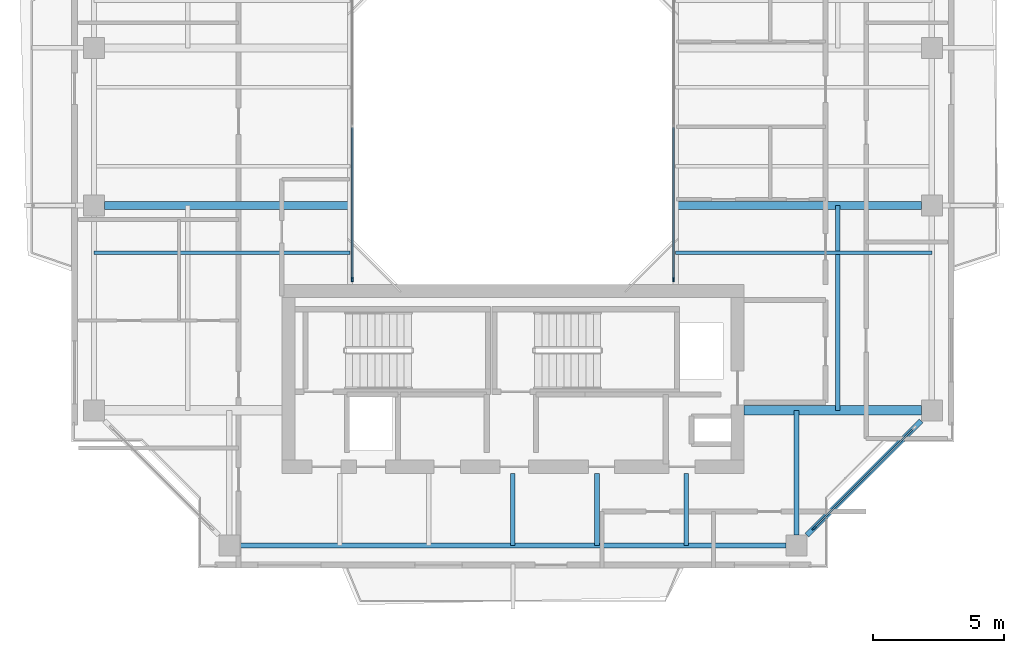
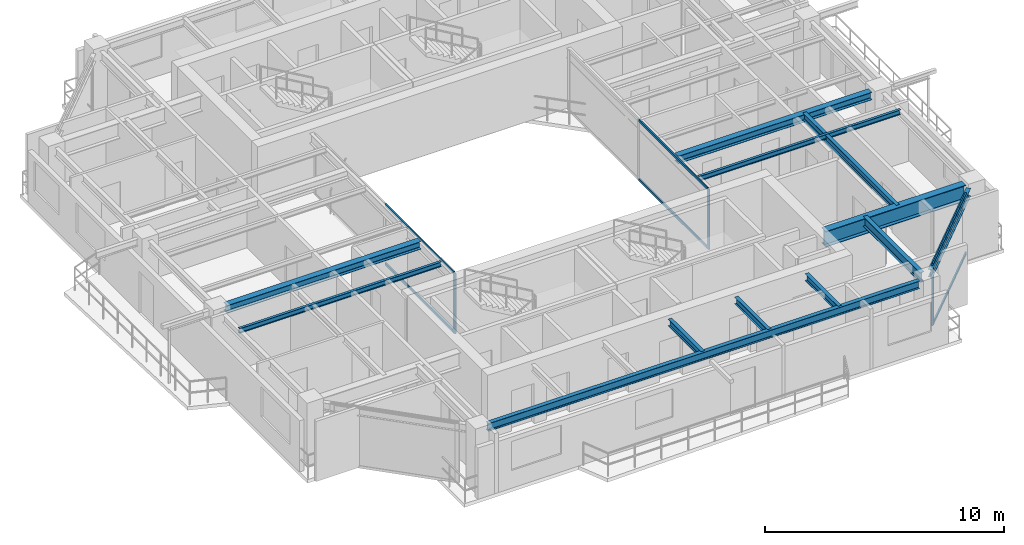
# One storey, part 4 of 15: 12 beams, 9 members, 3 elements without a shape of their own.
"""IFC4 building model written with IfcOpenShell, lengths in metres."""

from ifc_helpers import new_model, si_unit, direction, frame, origin, origin_2d, place, context, subcontext, project, spatial, rectangle, i_section, extrude, source, transform, mapped, material, layer, layer_set, material_profile, profile_set, type_object, element, aggregate, save


model = new_model("IFC4")

# Units and contexts
model_context = context("Model", 3, precision=1e-05, world=origin(), true_north=direction((0.0, 1.0)))
body_context = subcontext(model_context, "Body", "Model", "MODEL_VIEW")
ifc_project = project(units=[si_unit("LENGTHUNIT", "METRE"), si_unit("AREAUNIT", "SQUARE_METRE"), si_unit("VOLUMEUNIT", "CUBIC_METRE"), si_unit("PLANEANGLEUNIT", "RADIAN"), si_unit("MASSUNIT", "GRAM", prefix="KILO"), si_unit("THERMODYNAMICTEMPERATUREUNIT", "KELVIN"), si_unit("POWERUNIT", "WATT")], contexts=[model_context])

# Site, building, storey
site_placement = place(None, origin())
site = spatial("IfcSite", under=ifc_project, at=site_placement, CompositionType="ELEMENT")
building_placement = place(site_placement, origin())
building = spatial("IfcBuilding", under=site, at=building_placement, Name="Qiaomeng Ring Towers", CompositionType="ELEMENT")
storey_placement = place(building_placement, frame((0.0, 0.0, 206.75)))
storey = spatial("IfcBuildingStorey", under=building, at=storey_placement, Name="L60", CompositionType="ELEMENT", Elevation=206.75)

# Beams
ifc_material_1 = material(Name="Steel Q355B", Category="steel")
ifc_material_profile_1 = material_profile(ifc_material_1, i_section(OverallWidth=0.198974609375, OverallDepth=0.39599609375, WebThickness=0.007080078125, FlangeThickness=0.010986328125, FilletRadius=0.01611328125, at=origin_2d()), Name="HN 396x199x7x11")
ifc_profile_set_1 = profile_set([ifc_material_profile_1], Name="Steel Q355B")
beam_type_1 = type_object("IfcBeamType", Name="STR-BM-HN396", PredefinedType="SPANDREL", material=ifc_profile_set_1)
shared_shape_1 = source(origin(), body_context, "Body", "SweptSolid", [
    extrude(i_section(OverallWidth=0.198974609375, OverallDepth=0.39599609375, WebThickness=0.007080078125, FlangeThickness=0.010986328125, FilletRadius=0.01611328125, at=origin_2d()), origin(), (0.0, 0.0, 1.0), 20.8017578125),
])
beam_1_placement = place(storey_placement, frame((8.59912109375, 7.050048828125, 2.8720703125), z_axis=(1.0, 0.0, 0.0), x_axis=(0.0, 1.0, 0.0)))
element("IfcBeam", 1, at=beam_1_placement, inside=storey, type_object=beam_type_1, Name="L60 beam STR-SP-L60-T1-S1-S2", PredefinedType="SPANDREL", context=body_context, shape_type="MappedRepresentation", body=[
    mapped(shared_shape_1, transform((0.0, 0.0, 0.0), x_axis=(1.0, 0.0, 0.0), y_axis=(0.0, 1.0, 0.0), z_axis=(0.0, 0.0, 1.0), scale=1.0)),
])
shared_shape_2 = source(origin(), body_context, "Body", "SweptSolid", [
    extrude(i_section(OverallWidth=0.198974609375, OverallDepth=0.39599609375, WebThickness=0.007080078125, FlangeThickness=0.010986328125, FilletRadius=0.01611328125, at=origin_2d()), origin(), (0.0, 0.0, 1.0), 6.154052734375),
])
beam_2_placement = place(storey_placement, frame((30.19921875, 7.44921875, 2.8720703125), z_axis=(0.707106781187, 0.707106781187, 0.0), x_axis=(-0.707106781187, 0.707106781187, 0.0)))
element("IfcBeam", 2, at=beam_2_placement, inside=storey, type_object=beam_type_1, Name="L60 beam STR-SP-L60-T1-S2-E1", PredefinedType="SPANDREL", context=body_context, shape_type="MappedRepresentation", body=[
    mapped(shared_shape_2, transform((0.0, 0.0, 0.0), x_axis=(1.0, 0.0, 0.0), y_axis=(0.0, 1.0, 0.0), z_axis=(0.0, 0.0, 1.0), scale=1.0)),
])
ifc_material_2 = material(Name="Steel Q390GJC", Category="steel")
ifc_material_profile_2 = material_profile(ifc_material_2, i_section(OverallWidth=0.35009765625, OverallDepth=0.800048828125, WebThickness=0.01611328125, FlangeThickness=0.028076171875, at=origin_2d()), Name="WH 800x350x16x28")
ifc_profile_set_2 = profile_set([ifc_material_profile_2], Name="Steel Q390GJC")
beam_type_2 = type_object("IfcBeamType", Name="STR-BM-WH800", PredefinedType="BEAM", material=ifc_profile_set_2)
shared_shape_3 = source(origin(), body_context, "Body", "SweptSolid", [
    extrude(i_section(OverallWidth=0.35009765625, OverallDepth=0.800048828125, WebThickness=0.01611328125, FlangeThickness=0.028076171875, at=origin_2d()), origin(), (0.0, 0.0, 1.0), 6.7509765625),
])
beam_3_placement = place(storey_placement, frame((27.800048828125, 12.199951171875, 2.669921875), z_axis=(1.0, 0.0, 0.0), x_axis=(0.0, 1.0, 0.0)))
element("IfcBeam", 3, at=beam_3_placement, inside=storey, type_object=beam_type_2, Name="L60 beam STR-BM-L60-T1-RAD-E1", PredefinedType="BEAM", context=body_context, shape_type="MappedRepresentation", body=[
    mapped(shared_shape_3, transform((0.0, 0.0, 0.0), x_axis=(1.0, 0.0, 0.0), y_axis=(0.0, 1.0, 0.0), z_axis=(0.0, 0.0, 1.0), scale=1.0)),
])
ifc_material_profile_3 = material_profile(ifc_material_1, i_section(OverallWidth=0.199951171875, OverallDepth=0.5, WebThickness=0.010009765625, FlangeThickness=0.01611328125, FilletRadius=0.02001953125, at=origin_2d()), Name="HN 500x200x10x16")
ifc_profile_set_3 = profile_set([ifc_material_profile_3], Name="Steel Q355B")
beam_type_3 = type_object("IfcBeamType", Name="STR-BM-HN500", PredefinedType="BEAM", material=ifc_profile_set_3)
shared_shape_4 = source(origin(), body_context, "Body", "SweptSolid", [
    extrude(i_section(OverallWidth=0.199951171875, OverallDepth=0.5, WebThickness=0.010009765625, FlangeThickness=0.01611328125, FilletRadius=0.02001953125, at=origin_2d()), origin(), (0.0, 0.0, 1.0), 4.7509765625),
])
beam_4_placement = place(storey_placement, frame((29.800048828125, 7.448974609375, 2.820068359375), z_axis=(0.0, 1.0, 0.0), x_axis=(-1.0, 0.0, 0.0)))
element("IfcBeam", 4, at=beam_4_placement, inside=storey, type_object=beam_type_3, Name="L60 beam STR-BM-L60-T1-RAD-S2", PredefinedType="BEAM", context=body_context, shape_type="MappedRepresentation", body=[
    mapped(shared_shape_4, transform((0.0, 0.0, 0.0), x_axis=(1.0, 0.0, 0.0), y_axis=(0.0, 1.0, 0.0), z_axis=(0.0, 0.0, 1.0), scale=1.0)),
])
ifc_material_profile_4 = material_profile(ifc_material_1, i_section(OverallWidth=0.300048828125, OverallDepth=0.389892578125, WebThickness=0.010009765625, FlangeThickness=0.01611328125, FilletRadius=0.02197265625, at=origin_2d()), Name="HM 390x300x10x16")
ifc_profile_set_4 = profile_set([ifc_material_profile_4], Name="Steel Q355B")
beam_type_4 = type_object("IfcBeamType", Name="STR-BM-HM390", PredefinedType="BEAM", material=ifc_profile_set_4)
shared_shape_5 = source(origin(), body_context, "Body", "SweptSolid", [
    extrude(i_section(OverallWidth=0.300048828125, OverallDepth=0.389892578125, WebThickness=0.010009765625, FlangeThickness=0.01611328125, FilletRadius=0.02197265625, at=origin_2d()), origin(), (0.0, 0.0, 1.0), 9.35107421875),
])
for number, where, z_axis, x_axis, name in (
    (5, (3.448974609375, 20.0, 2.875), (1.0, 0.0, 0.0), (0.0, 1.0, 0.0), "L60 beam STR-BM-L60-T1-RAD-W2"),
    (6, (25.199951171875, 20.0, 2.875), (1.0, 0.0, 0.0), (0.0, 1.0, 0.0), "L60 beam STR-BM-L60-T1-RAD-E2"),
):
    element("IfcBeam", number, at=place(storey_placement, frame(where, z_axis=z_axis, x_axis=x_axis)), inside=storey, type_object=beam_type_4, Name=name, PredefinedType="BEAM", context=body_context, shape_type="MappedRepresentation", body=[
        mapped(shared_shape_5, transform((0.0, 0.0, 0.0), x_axis=(1.0, 0.0, 0.0), y_axis=(0.0, 1.0, 0.0), z_axis=(0.0, 0.0, 1.0), scale=1.0)),
    ])
ifc_material_profile_5 = material_profile(ifc_material_1, i_section(OverallWidth=0.175048828125, OverallDepth=0.35009765625, WebThickness=0.007080078125, FlangeThickness=0.010986328125, FilletRadius=0.013916015625, at=origin_2d()), Name="HN 350x175x7x11")
ifc_profile_set_5 = profile_set([ifc_material_profile_5], Name="Steel Q355B")
beam_type_5 = type_object("IfcBeamType", Name="STR-BM-HN350", PredefinedType="JOIST", material=ifc_profile_set_5)
shared_shape_6 = source(origin(), body_context, "Body", "SweptSolid", [
    extrude(i_section(OverallWidth=0.175048828125, OverallDepth=0.35009765625, WebThickness=0.007080078125, FlangeThickness=0.010986328125, FilletRadius=0.013916015625, at=origin_2d()), origin(), (0.0, 0.0, 1.0), 2.75),
])
for number, where, z_axis, x_axis, name in (
    (7, (19.0, 7.050048828125, 2.89501953125), (0.0, 1.0, 0.0), (-1.0, 0.0, 0.0), "L60 beam STR-JST-L60-T1S-3"),
    (8, (22.199951171875, 7.050048828125, 2.89501953125), (0.0, 1.0, 0.0), (-1.0, 0.0, 0.0), "L60 beam STR-JST-L60-T1S-4"),
    (9, (25.60009765625, 7.050048828125, 2.89501953125), (0.0, 1.0, 0.0), (-1.0, 0.0, 0.0), "L60 beam STR-JST-L60-T1S-5"),
):
    element("IfcBeam", number, at=place(storey_placement, frame(where, z_axis=z_axis, x_axis=x_axis)), inside=storey, type_object=beam_type_5, Name=name, PredefinedType="JOIST", context=body_context, shape_type="MappedRepresentation", body=[
        mapped(shared_shape_6, transform((0.0, 0.0, 0.0), x_axis=(1.0, 0.0, 0.0), y_axis=(0.0, 1.0, 0.0), z_axis=(0.0, 0.0, 1.0), scale=1.0)),
    ])
ifc_material_profile_6 = material_profile(ifc_material_1, i_section(OverallWidth=0.125, OverallDepth=0.25, WebThickness=0.006103515625, FlangeThickness=0.009033203125, FilletRadius=0.011962890625, at=origin_2d()), Name="HN 250x125x6x9")
ifc_profile_set_6 = profile_set([ifc_material_profile_6], Name="Steel Q355B")
beam_type_6 = type_object("IfcBeamType", Name="STR-BM-HN250", PredefinedType="JOIST", material=ifc_profile_set_6)
shared_shape_7 = source(origin(), body_context, "Body", "SweptSolid", [
    extrude(i_section(OverallWidth=0.125, OverallDepth=0.25, WebThickness=0.006103515625, FlangeThickness=0.009033203125, FilletRadius=0.011962890625, at=origin_2d()), origin(), (0.0, 0.0, 1.0), 9.75),
])
for number, where, z_axis, x_axis, name in (
    (10, (3.050048828125, 18.199951171875, 2.945068359375), (1.0, 0.0, 0.0), (0.0, 1.0, 0.0), "L60 beam STR-JST-L60-T1W-1"),
    (11, (25.199951171875, 18.199951171875, 2.945068359375), (1.0, 0.0, 0.0), (0.0, 1.0, 0.0), "L60 beam STR-JST-L60-T1E-1"),
):
    element("IfcBeam", number, at=place(storey_placement, frame(where, z_axis=z_axis, x_axis=x_axis)), inside=storey, type_object=beam_type_6, Name=name, PredefinedType="JOIST", context=body_context, shape_type="MappedRepresentation", body=[
        mapped(shared_shape_7, transform((0.0, 0.0, 0.0), x_axis=(1.0, 0.0, 0.0), y_axis=(0.0, 1.0, 0.0), z_axis=(0.0, 0.0, 1.0), scale=1.0)),
    ])
shared_shape_8 = source(origin(), body_context, "Body", "SweptSolid", [
    extrude(i_section(OverallWidth=0.175048828125, OverallDepth=0.35009765625, WebThickness=0.007080078125, FlangeThickness=0.010986328125, FilletRadius=0.013916015625, at=origin_2d()), origin(), (0.0, 0.0, 1.0), 7.800048828125),
])
beam_5_placement = place(storey_placement, frame((31.375, 12.199951171875, 2.89501953125), z_axis=(0.0, 1.0, 0.0), x_axis=(-1.0, 0.0, 0.0)))
element("IfcBeam", 12, at=beam_5_placement, inside=storey, type_object=beam_type_5, Name="L60 beam STR-JST-L60-T1C-ES", PredefinedType="JOIST", context=body_context, shape_type="MappedRepresentation", body=[
    mapped(shared_shape_8, transform((0.0, 0.0, 0.0), x_axis=(1.0, 0.0, 0.0), y_axis=(0.0, 1.0, 0.0), z_axis=(0.0, 0.0, 1.0), scale=1.0)),
])

# Curtain wall, member
ifc_material_3 = material(Name="Fluorocarbon dark-grey aluminium", Category="aluminium")
ifc_layer_1 = layer(ifc_material_3, 0.139892578125, Name="Fluorocarbon dark-grey aluminium")
ifc_layer_set_1 = layer_set([ifc_layer_1], Name="Fluorocarbon dark-grey aluminium")
curtain_wall_type_1 = type_object("IfcCurtainWallType", Name="ARC-CW-4", PredefinedType="NOTDEFINED", material=ifc_layer_set_1)
curtain_wall_1_placement = place(storey_placement, origin())
curtain_wall_1 = element("IfcCurtainWall", 13, at=curtain_wall_1_placement, inside=storey, type_object=curtain_wall_type_1, Name="L60 Curtain Wall CW4", PredefinedType="NOTDEFINED")
ifc_material_profile_7 = material_profile(ifc_material_3, rectangle(XDim=0.06494140625, YDim=0.159912109375, at=origin_2d()), Name="ALU MULL 65x160")
ifc_profile_set_7 = profile_set([ifc_material_profile_7], Name="Fluorocarbon dark-grey aluminium")
member_type_1 = type_object("IfcMemberType", Name="ARC-CWM-140", PredefinedType="MULLION", material=ifc_profile_set_7)
shared_shape_9 = source(origin(), body_context, "Body", "SweptSolid", [
    extrude(rectangle(XDim=0.06494140625, YDim=0.159912109375, at=origin_2d()), origin(), (0.0, 0.0, 1.0), 3.070068359375),
])
member_1_placement = place(storey_placement, frame((12.8798828125, 17.1826171875, 0.0), z_axis=(0.0, 0.0, 1.0), x_axis=(-1.0, 0.0, 0.0)))
member_1 = element("IfcMember", 14, at=member_1_placement, type_object=member_type_1, Name="CW4 mullion 1", PredefinedType="MULLION", context=body_context, shape_type="MappedRepresentation", body=[
    mapped(shared_shape_9, transform((0.0, 0.0, 0.0), x_axis=(1.0, 0.0, 0.0), y_axis=(0.0, 1.0, 0.0), z_axis=(0.0, 0.0, 1.0), scale=1.0)),
])

curtain_wall_2_placement = place(storey_placement, origin())
curtain_wall_2 = element("IfcCurtainWall", 15, at=curtain_wall_2_placement, inside=storey, type_object=curtain_wall_type_1, Name="L60 Curtain Wall CW4", PredefinedType="NOTDEFINED")
member_2_placement = place(storey_placement, frame((25.1201171875, 17.1826171875, 0.0), z_axis=(0.0, 0.0, 1.0), x_axis=(-1.0, 0.0, 0.0)))
member_2 = element("IfcMember", 16, at=member_2_placement, type_object=member_type_1, Name="CW4 mullion 1", PredefinedType="MULLION", context=body_context, shape_type="MappedRepresentation", body=[
    mapped(shared_shape_9, transform((0.0, 0.0, 0.0), x_axis=(1.0, 0.0, 0.0), y_axis=(0.0, 1.0, 0.0), z_axis=(0.0, 0.0, 1.0), scale=1.0)),
])

# Member
ifc_material_profile_8 = material_profile(ifc_material_3, rectangle(XDim=0.06494140625, YDim=0.1298828125, at=origin_2d()), Name="ALU TRAN 65x130")
ifc_profile_set_8 = profile_set([ifc_material_profile_8], Name="Fluorocarbon dark-grey aluminium")
member_type_2 = type_object("IfcMemberType", Name="ARC-CWT-120", PredefinedType="USERDEFINED", material=ifc_profile_set_8)
shared_shape_10 = source(origin(), body_context, "Body", "SweptSolid", [
    extrude(rectangle(XDim=0.06494140625, YDim=0.1298828125, at=origin_2d()), origin(), (0.0, 0.0, 1.0), 5.75244140625),
])
member_3_placement = place(storey_placement, frame((12.8798828125, 17.215087890625, 0.032470703125), z_axis=(0.0, 1.0, 0.0), x_axis=(-1.0, 0.0, 0.0)))
member_3 = element("IfcMember", 17, at=member_3_placement, type_object=member_type_2, Name="CW4 transom 1.1", ObjectType="TRANSOM", PredefinedType="USERDEFINED", context=body_context, shape_type="MappedRepresentation", body=[
    mapped(shared_shape_10, transform((0.0, 0.0, 0.0), x_axis=(1.0, 0.0, 0.0), y_axis=(0.0, 1.0, 0.0), z_axis=(0.0, 0.0, 1.0), scale=1.0)),
])

member_4_placement = place(storey_placement, frame((12.8798828125, 17.215087890625, 3.03759765625), z_axis=(0.0, 1.0, 0.0), x_axis=(-1.0, 0.0, 0.0)))
member_4 = element("IfcMember", 18, at=member_4_placement, type_object=member_type_2, Name="CW4 transom 1.2", ObjectType="TRANSOM", PredefinedType="USERDEFINED", context=body_context, shape_type="MappedRepresentation", body=[
    mapped(shared_shape_10, transform((0.0, 0.0, 0.0), x_axis=(1.0, 0.0, 0.0), y_axis=(0.0, 1.0, 0.0), z_axis=(0.0, 0.0, 1.0), scale=1.0)),
])

aggregate(curtain_wall_1, [member_1, member_3, member_4])

member_5_placement = place(storey_placement, frame((25.1201171875, 17.215087890625, 0.032470703125), z_axis=(0.0, 1.0, 0.0), x_axis=(-1.0, 0.0, 0.0)))
member_5 = element("IfcMember", 19, at=member_5_placement, type_object=member_type_2, Name="CW4 transom 1.1", ObjectType="TRANSOM", PredefinedType="USERDEFINED", context=body_context, shape_type="MappedRepresentation", body=[
    mapped(shared_shape_10, transform((0.0, 0.0, 0.0), x_axis=(1.0, 0.0, 0.0), y_axis=(0.0, 1.0, 0.0), z_axis=(0.0, 0.0, 1.0), scale=1.0)),
])

member_6_placement = place(storey_placement, frame((25.1201171875, 17.215087890625, 3.03759765625), z_axis=(0.0, 1.0, 0.0), x_axis=(-1.0, 0.0, 0.0)))
member_6 = element("IfcMember", 20, at=member_6_placement, type_object=member_type_2, Name="CW4 transom 1.2", ObjectType="TRANSOM", PredefinedType="USERDEFINED", context=body_context, shape_type="MappedRepresentation", body=[
    mapped(shared_shape_10, transform((0.0, 0.0, 0.0), x_axis=(1.0, 0.0, 0.0), y_axis=(0.0, 1.0, 0.0), z_axis=(0.0, 0.0, 1.0), scale=1.0)),
])

aggregate(curtain_wall_2, [member_2, member_5, member_6])

# Curtain wall, members
ifc_layer_2 = layer(ifc_material_3, 0.14990234375, Name="Fluorocarbon dark-grey aluminium")
ifc_layer_set_2 = layer_set([ifc_layer_2], Name="Fluorocarbon dark-grey aluminium")
curtain_wall_type_2 = type_object("IfcCurtainWallType", Name="ARC-CW-3", PredefinedType="NOTDEFINED", material=ifc_layer_set_2)
curtain_wall_3_placement = place(storey_placement, origin())
curtain_wall_3 = element("IfcCurtainWall", 21, at=curtain_wall_3_placement, inside=storey, type_object=curtain_wall_type_2, Name="L60 Curtain Wall CW3", PredefinedType="NOTDEFINED")
ifc_material_profile_9 = material_profile(ifc_material_3, rectangle(XDim=0.070068359375, YDim=0.179931640625, at=origin_2d()), Name="ALU MULL 70x180")
ifc_profile_set_9 = profile_set([ifc_material_profile_9], Name="Fluorocarbon dark-grey aluminium")
member_type_3 = type_object("IfcMemberType", Name="ARC-CWM-160", PredefinedType="MULLION", material=ifc_profile_set_9)
shared_shape_11 = source(origin(), body_context, "Body", "SweptSolid", [
    extrude(rectangle(XDim=0.070068359375, YDim=0.179931640625, at=origin_2d()), origin(), (0.0, 0.0, 1.0), 3.070068359375),
])
member_7_placement = place(storey_placement, frame((30.46484375, 7.71484375, 0.0), z_axis=(0.0, 0.0, 1.0), x_axis=(-0.707106781187, 0.707106781187, 0.0)))
member_7 = element("IfcMember", 22, at=member_7_placement, type_object=member_type_3, Name="CW3 mullion 1", PredefinedType="MULLION", context=body_context, shape_type="MappedRepresentation", body=[
    mapped(shared_shape_11, transform((0.0, 0.0, 0.0), x_axis=(1.0, 0.0, 0.0), y_axis=(0.0, 1.0, 0.0), z_axis=(0.0, 0.0, 1.0), scale=1.0)),
])
shared_shape_12 = source(origin(), body_context, "Body", "SweptSolid", [
    extrude(rectangle(XDim=0.06494140625, YDim=0.1298828125, at=origin_2d()), origin(), (0.0, 0.0, 1.0), 5.3330078125),
])
member_8_placement = place(storey_placement, frame((30.489501953125, 7.739501953125, 0.032470703125), z_axis=(0.707106781187, 0.707106781187, 0.0), x_axis=(-0.707106781187, 0.707106781187, 0.0)))
member_8 = element("IfcMember", 23, at=member_8_placement, type_object=member_type_2, Name="CW3 transom 1.1", ObjectType="TRANSOM", PredefinedType="USERDEFINED", context=body_context, shape_type="MappedRepresentation", body=[
    mapped(shared_shape_12, transform((0.0, 0.0, 0.0), x_axis=(1.0, 0.0, 0.0), y_axis=(0.0, 1.0, 0.0), z_axis=(0.0, 0.0, 1.0), scale=1.0)),
])
member_9_placement = place(storey_placement, frame((30.489501953125, 7.739501953125, 3.03759765625), z_axis=(0.707106781187, 0.707106781187, 0.0), x_axis=(-0.707106781187, 0.707106781187, 0.0)))
member_9 = element("IfcMember", 24, at=member_9_placement, type_object=member_type_2, Name="CW3 transom 1.2", ObjectType="TRANSOM", PredefinedType="USERDEFINED", context=body_context, shape_type="MappedRepresentation", body=[
    mapped(shared_shape_12, transform((0.0, 0.0, 0.0), x_axis=(1.0, 0.0, 0.0), y_axis=(0.0, 1.0, 0.0), z_axis=(0.0, 0.0, 1.0), scale=1.0)),
])
aggregate(curtain_wall_3, [member_7, member_8, member_9])

save(model, "model.ifc")
